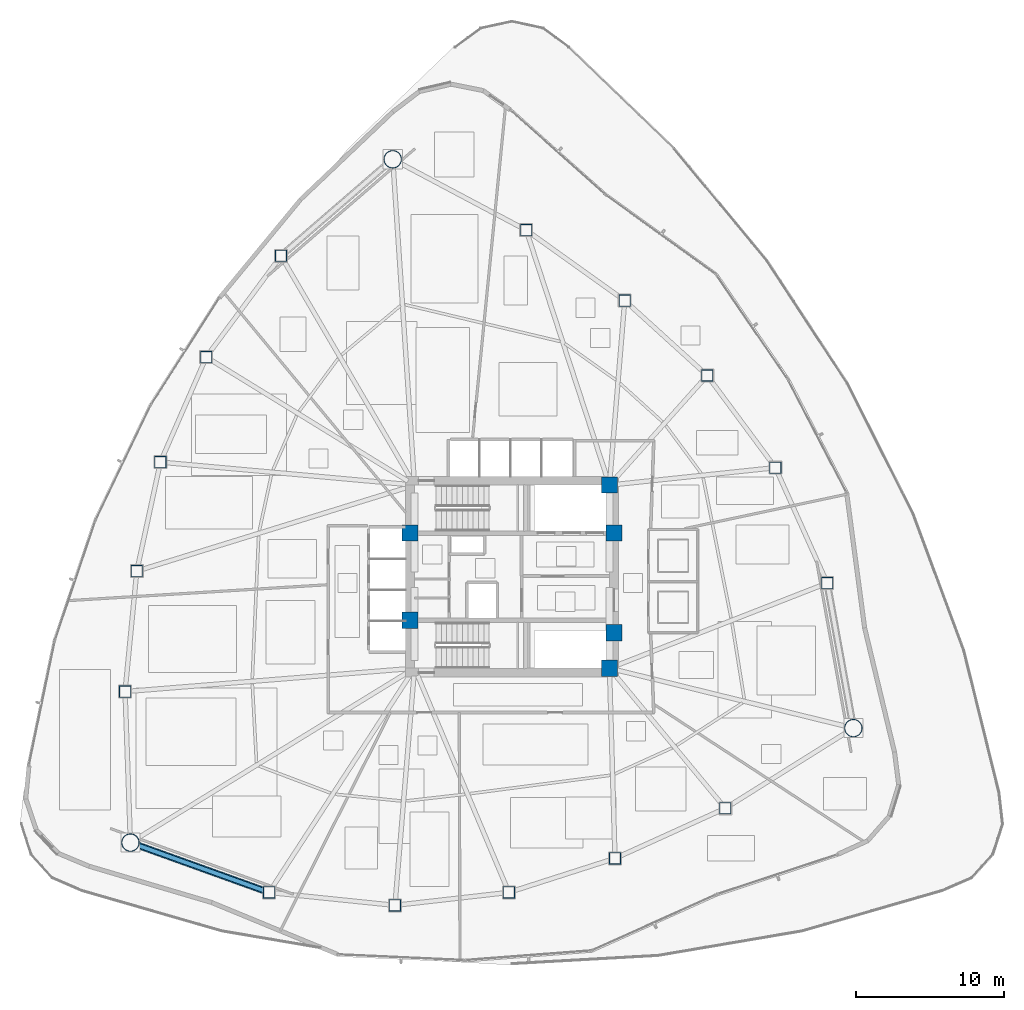
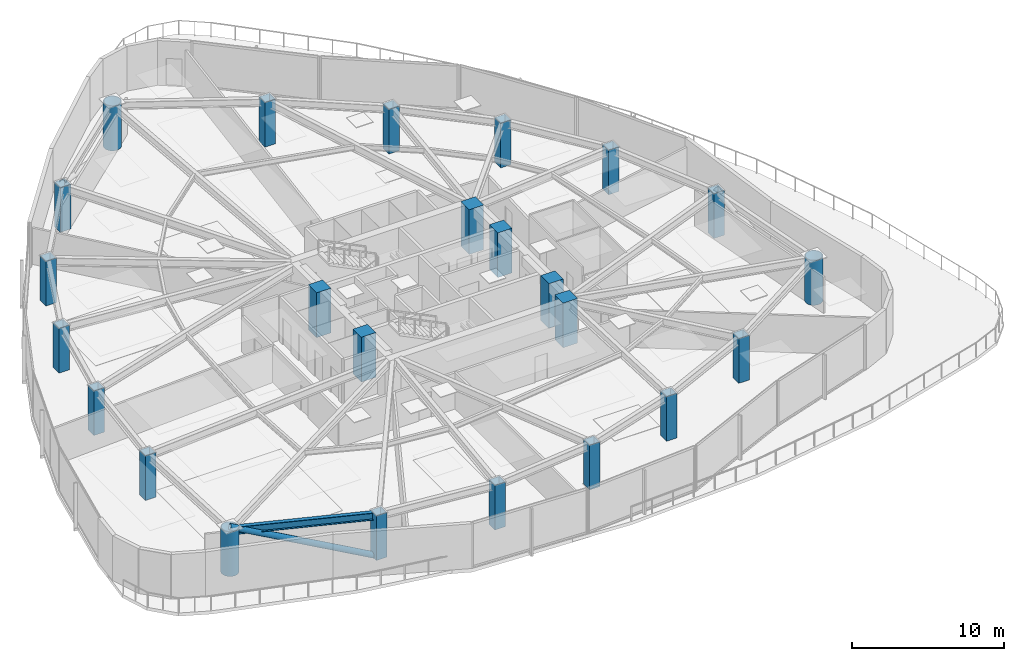
# One storey, part 1 of 19: 24 columns, 1 beam, 1 member.
"""IFC4 building model written with IfcOpenShell, lengths in metres."""

from ifc_helpers import new_model, si_unit, direction, frame, origin, origin_2d, place, context, subcontext, project, spatial, rectangle, hollow_rectangle, hollow_circle, i_section, extrude, material, material_profile, profile_set, type_object, element, save


model = new_model("IFC4")

# Units and contexts
model_context = context("Model", 3, precision=1e-05, world=origin(), true_north=direction((0.0, 1.0)))
body_context = subcontext(model_context, "Body", "Model", "MODEL_VIEW")
ifc_project = project(units=[si_unit("LENGTHUNIT", "METRE"), si_unit("AREAUNIT", "SQUARE_METRE"), si_unit("VOLUMEUNIT", "CUBIC_METRE"), si_unit("PLANEANGLEUNIT", "RADIAN"), si_unit("MASSUNIT", "GRAM", prefix="KILO")], contexts=[model_context])

# Site, building, storey
site_placement = place(None, origin())
site = spatial("IfcSite", under=ifc_project, at=site_placement, CompositionType="ELEMENT")
building_placement = place(site_placement, origin())
building = spatial("IfcBuilding", under=site, at=building_placement, Name="Tavelor Broadcast Tower", CompositionType="ELEMENT")
storey_placement = place(building_placement, frame((0.0, 0.0, 27.60009765625)))
storey = spatial("IfcBuildingStorey", under=building, at=storey_placement, Name="L05", CompositionType="ELEMENT", Elevation=27.60009765625)

# Columns
ifc_material_1 = material(Name="Concrete C60/75", Category="concrete")
ifc_material_profile_1 = material_profile(ifc_material_1, rectangle(XDim=1.10009765625, YDim=1.10009765625, at=origin_2d()), Name="RC 1100x1100")
ifc_profile_set_1 = profile_set([ifc_material_profile_1], Name="Concrete C60/75")
column_type_1 = type_object("IfcColumnType", Name="Core Embedded Composite Column RC1100", PredefinedType="COLUMN", material=ifc_profile_set_1)
for number, where, z_axis, x_axis, name in (
    (1, (43.10009765625, 47.949951171875, 0.0), (0.0, 0.0, 1.0), (1.0, 0.0, 0.0), "L05 Core Embedded Column 1"),
    (2, (56.89990234375, 47.949951171875, 0.0), (0.0, 0.0, 1.0), (1.0, 0.0, 0.0), "L05 Core Embedded Column 2"),
    (3, (56.60009765625, 51.199951171875, 0.0), (0.0, 0.0, 1.0), (1.0, 0.0, 0.0), "L05 Core Embedded Column 3"),
    (4, (43.10009765625, 42.050048828125, 0.0), (0.0, 0.0, 1.0), (1.0, 0.0, 0.0), "L05 Core Embedded Column 4"),
    (5, (56.89990234375, 41.199951171875, 0.0), (0.0, 0.0, 1.0), (1.0, 0.0, 0.0), "L05 Core Embedded Column 5"),
    (6, (56.60009765625, 38.800048828125, 0.0), (0.0, 0.0, 1.0), (1.0, 0.0, 0.0), "L05 Core Embedded Column 6"),
):
    element("IfcColumn", number, at=place(storey_placement, frame(where, z_axis=z_axis, x_axis=x_axis)), inside=storey, type_object=column_type_1, Name=name, PredefinedType="COLUMN", context=body_context, shape_type="SweptSolid", body=[
        extrude(rectangle(XDim=1.10009765625, YDim=1.10009765625, at=origin_2d()), origin(), (0.0, 0.0, 1.0), 3.599853515625),
    ])
ifc_material_2 = material(Name="Steel S460", Category="steel")
ifc_material_profile_2 = material_profile(ifc_material_2, hollow_rectangle(XDim=0.800048828125, YDim=0.800048828125, WallThickness=0.044921875, at=origin_2d()), Name="SHS 800x800x45")
ifc_profile_set_2 = profile_set([ifc_material_profile_2], Name="Steel S460")
column_type_2 = type_object("IfcColumnType", Name="Perimeter Tube Column T1 SHS 800x800x45", PredefinedType="COLUMN", material=ifc_profile_set_2)
for number, where, z_axis, x_axis, name in (
    (7, (34.356201171875, 66.727783203125, 0.0), (0.0, 0.0, 1.0), (1.0, 0.0, 0.0), "L05 Perimeter Framed-Tube Column 02"),
    (8, (29.292236328125, 59.87158203125, 0.0), (0.0, 0.0, 1.0), (1.0, 0.0, 0.0), "L05 Perimeter Framed-Tube Column 03"),
    (9, (26.189208984375, 52.75830078125, 0.0), (0.0, 0.0, 1.0), (1.0, 0.0, 0.0), "L05 Perimeter Framed-Tube Column 04"),
    (10, (24.58984375, 45.380615234375, 0.0), (0.0, 0.0, 1.0), (1.0, 0.0, 0.0), "L05 Perimeter Framed-Tube Column 05"),
    (11, (23.794677734375, 37.21630859375, 0.0), (0.0, 0.0, 1.0), (1.0, 0.0, 0.0), "L05 Perimeter Framed-Tube Column 06"),
    (12, (33.55078125, 23.615478515625, 0.0), (0.0, 0.0, 1.0), (1.0, 0.0, 0.0), "L05 Perimeter Framed-Tube Column 08"),
    (13, (42.0732421875, 22.740478515625, 0.0), (0.0, 0.0, 1.0), (1.0, 0.0, 0.0), "L05 Perimeter Framed-Tube Column 09"),
    (14, (49.78662109375, 23.617919921875, 0.0), (0.0, 0.0, 1.0), (1.0, 0.0, 0.0), "L05 Perimeter Framed-Tube Column 10"),
    (15, (56.975341796875, 25.92138671875, 0.0), (0.0, 0.0, 1.0), (1.0, 0.0, 0.0), "L05 Perimeter Framed-Tube Column 11"),
    (16, (64.443603515625, 29.31494140625, 0.0), (0.0, 0.0, 1.0), (1.0, 0.0, 0.0), "L05 Perimeter Framed-Tube Column 12"),
    (17, (71.343994140625, 44.564697265625, 0.0), (0.0, 0.0, 1.0), (1.0, 0.0, 0.0), "L05 Perimeter Framed-Tube Column 14"),
    (18, (67.8408203125, 52.382568359375, 0.0), (0.0, 0.0, 1.0), (1.0, 0.0, 0.0), "L05 Perimeter Framed-Tube Column 15"),
    (19, (63.22412109375, 58.623779296875, 0.0), (0.0, 0.0, 1.0), (1.0, 0.0, 0.0), "L05 Perimeter Framed-Tube Column 16"),
    (20, (57.634765625, 63.69775390625, 0.0), (0.0, 0.0, 1.0), (1.0, 0.0, 0.0), "L05 Perimeter Framed-Tube Column 17"),
    (21, (50.9619140625, 68.468505859375, 0.0), (0.0, 0.0, 1.0), (1.0, 0.0, 0.0), "L05 Perimeter Framed-Tube Column 18"),
):
    element("IfcColumn", number, at=place(storey_placement, frame(where, z_axis=z_axis, x_axis=x_axis)), inside=storey, type_object=column_type_2, Name=name, PredefinedType="COLUMN", context=body_context, shape_type="SweptSolid", body=[
        extrude(hollow_rectangle(XDim=0.800048828125, YDim=0.800048828125, WallThickness=0.044921875, at=origin_2d()), origin(), (0.0, 0.0, 1.0), 3.599853515625),
    ])
ifc_material_profile_3 = material_profile(ifc_material_2, hollow_circle(Radius=0.609619140625, WallThickness=0.050048828125, at=origin_2d()), Name="CHS 1219x50")
ifc_profile_set_3 = profile_set([ifc_material_profile_3], Name="Steel S460")
column_type_3 = type_object("IfcColumnType", Name="Tower Mega Column T1 CHS 1219x50", PredefinedType="COLUMN", material=ifc_profile_set_3)
for number, where, z_axis, x_axis, name in (
    (22, (41.923095703125, 73.266357421875, 0.0), (0.0, 0.0, 1.0), (1.0, 0.0, 0.0), "L05 Tower Corner Mega Column 01"),
    (23, (24.1591796875, 26.98974609375, 0.0), (0.0, 0.0, 1.0), (1.0, 0.0, 0.0), "L05 Tower Corner Mega Column 07"),
    (24, (73.117919921875, 34.743896484375, 0.0), (0.0, 0.0, 1.0), (1.0, 0.0, 0.0), "L05 Tower Corner Mega Column 13"),
):
    element("IfcColumn", number, at=place(storey_placement, frame(where, z_axis=z_axis, x_axis=x_axis)), inside=storey, type_object=column_type_3, Name=name, PredefinedType="COLUMN", context=body_context, shape_type="SweptSolid", body=[
        extrude(hollow_circle(Radius=0.609619140625, WallThickness=0.050048828125, at=origin_2d()), origin(), (0.0, 0.0, 1.0), 3.599853515625),
    ])

# Beam
ifc_material_3 = material(Name="Steel S355", Category="steel")
ifc_material_profile_4 = material_profile(ifc_material_3, i_section(OverallWidth=0.300048828125, OverallDepth=0.60009765625, WebThickness=0.015380859375, FlangeThickness=0.030029296875, at=origin_2d()), Name="HEB 600")
ifc_profile_set_4 = profile_set([ifc_material_profile_4], Name="Steel S355")
beam_type = type_object("IfcBeamType", Name="Perimeter Spandrel Beam T1 HEB 600", PredefinedType="SPANDREL", material=ifc_profile_set_4)
beam_placement = place(storey_placement, frame((24.709716796875, 26.7919921875, 3.2998046875), z_axis=(0.941102066303, -0.338122612081, 0.0), x_axis=(0.338122612081, 0.941102066303, 0.0)))
element("IfcBeam", 25, at=beam_placement, inside=storey, type_object=beam_type, Name="L05 Framed-Tube Ring Spandrel 07", PredefinedType="SPANDREL", context=body_context, shape_type="SweptSolid", body=[
    extrude(i_section(OverallWidth=0.300048828125, OverallDepth=0.60009765625, WebThickness=0.015380859375, FlangeThickness=0.030029296875, at=origin_2d()), origin(), (0.0, 0.0, 1.0), 9.010498046875),
])

# Member
ifc_material_profile_5 = material_profile(ifc_material_3, hollow_circle(Radius=0.228515625, WallThickness=0.02001953125, at=origin_2d()), Name="CHS 457x20")
ifc_profile_set_5 = profile_set([ifc_material_profile_5], Name="Steel S355")
member_type = type_object("IfcMemberType", Name="Perimeter Tube Brace T1 CHS 457x20", PredefinedType="BRACE", material=ifc_profile_set_5)
member_placement = place(storey_placement, frame((33.55078125, 23.615478515625, 0.0), z_axis=(-0.885264543661, 0.31806283815, 0.339326861191), x_axis=(-0.338124247145, -0.941101478849, 0.0)))
element("IfcMember", 26, at=member_placement, inside=storey, type_object=member_type, Name="L05 Corner Tube Diagonal Brace 2", PredefinedType="BRACE", context=body_context, shape_type="SweptSolid", body=[
    extrude(hollow_circle(Radius=0.228515625, WallThickness=0.02001953125, at=origin_2d()), origin(), (0.0, 0.0, 1.0), 10.60888671875),
])

save(model, "model.ifc")
